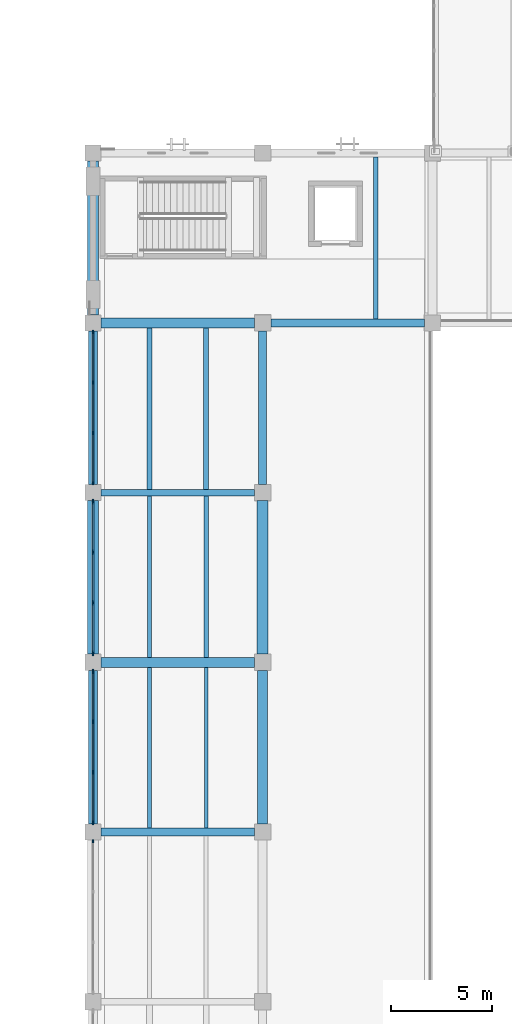
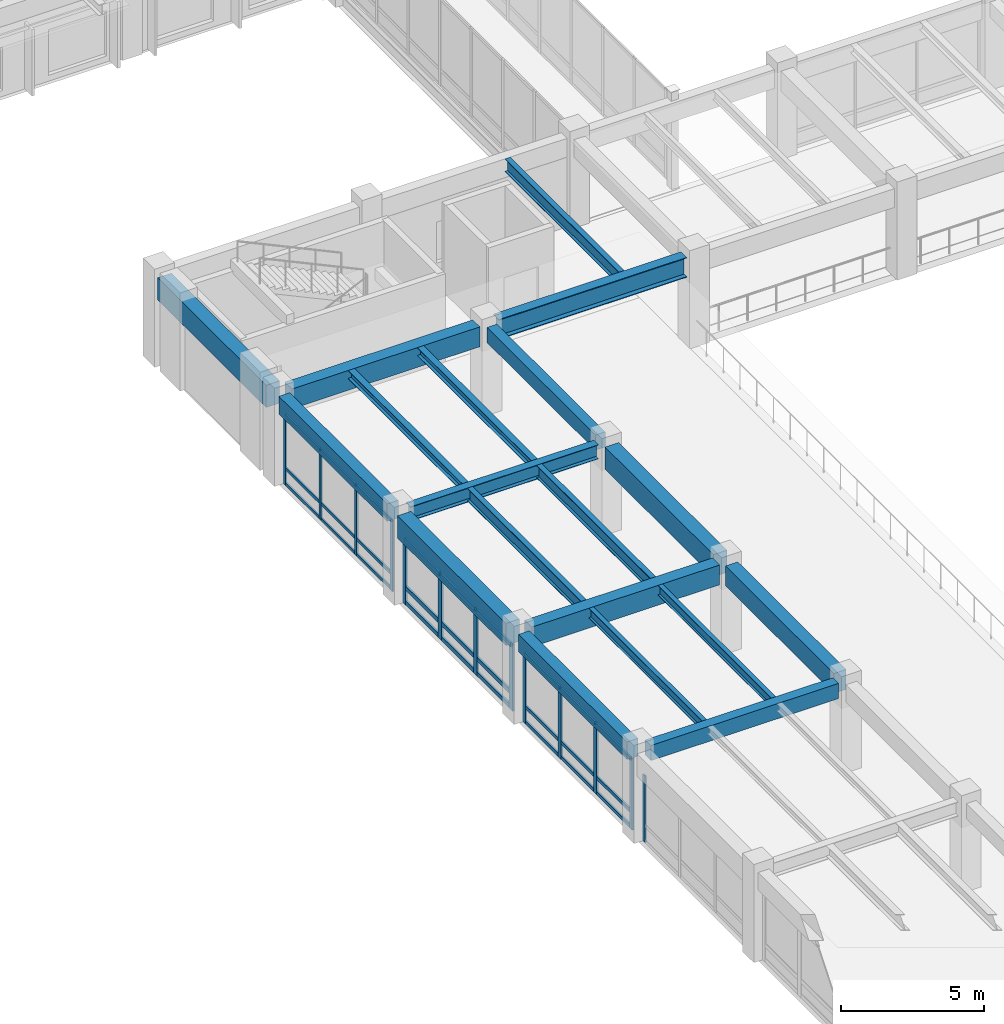
# One storey, part 11 of 132: 40 members, 19 beams, 4 elements without a shape of their own.
"""IFC4 building model written with IfcOpenShell, lengths in metres."""

from ifc_helpers import new_model, si_unit, direction, frame, origin, origin_2d, place, context, subcontext, project, spatial, rectangle, i_section, extrude, material, material_profile, profile_set, type_object, element, aggregate, save


model = new_model("IFC4")

# Units and contexts
model_context = context("Model", 3, precision=1e-05, world=origin(), true_north=direction((0.0, 1.0)))
body_context = subcontext(model_context, "Body", "Model", "MODEL_VIEW")
ifc_project = project(units=[si_unit("LENGTHUNIT", "METRE"), si_unit("AREAUNIT", "SQUARE_METRE"), si_unit("VOLUMEUNIT", "CUBIC_METRE"), si_unit("PLANEANGLEUNIT", "RADIAN"), si_unit("MASSUNIT", "GRAM", prefix="KILO")], contexts=[model_context])

# Site, building, storey
site_placement = place(None, origin())
site = spatial("IfcSite", under=ifc_project, at=site_placement, CompositionType="ELEMENT")
building_placement = place(site_placement, origin())
building = spatial("IfcBuilding", under=site, at=building_placement, Name="Cumbredor Promenade Congress Hotel", CompositionType="ELEMENT")
storey_placement = place(building_placement, frame((0.0, 0.0, 7.56005859375)))
storey = spatial("IfcBuildingStorey", under=building, at=storey_placement, Name="L02", CompositionType="ELEMENT", Elevation=7.56005859375)

# Beams
ifc_material_1 = material(Name="Concrete C40/50", Category="concrete")
ifc_material_profile_1 = material_profile(ifc_material_1, rectangle(XDim=0.39990234375, YDim=0.64990234375, at=origin_2d()), Name="RC BEAM 400x650")
ifc_profile_set_1 = profile_set([ifc_material_profile_1], Name="Concrete C40/50")
beam_type_1 = type_object("IfcBeamType", Name="BM-RC-400x650", PredefinedType="BEAM", material=ifc_profile_set_1)
for number, where, z_axis, x_axis, name in (
    (1, (8.800048828125, 33.60009765625, 3.474853515625), (1.0, 0.0, 0.0), (0.0, 1.0, 0.0), "L03 X-Grid Beam 016"),
    (2, (16.800048828125, 50.800048828125, 3.474853515625), (0.0, 1.0, 0.0), (-1.0, 0.0, 0.0), "L03 Y-Grid Beam 040"),
):
    element("IfcBeam", number, at=place(storey_placement, frame(where, z_axis=z_axis, x_axis=x_axis)), inside=storey, type_object=beam_type_1, Name=name, PredefinedType="BEAM", context=body_context, shape_type="SweptSolid", body=[
        extrude(rectangle(XDim=0.39990234375, YDim=0.64990234375, at=origin_2d()), origin(), (0.0, 0.0, 1.0), 7.599853515625),
    ])
ifc_material_profile_2 = material_profile(ifc_material_1, rectangle(XDim=0.449951171875, YDim=0.75, at=origin_2d()), Name="RC BEAM 450x750")
ifc_profile_set_2 = profile_set([ifc_material_profile_2], Name="Concrete C40/50")
beam_type_2 = type_object("IfcBeamType", Name="BM-RC-450x750", PredefinedType="BEAM", material=ifc_profile_set_2)
beam_1_placement = place(storey_placement, frame((8.39990234375, 34.0, 3.425048828125), z_axis=(0.0, 1.0, 0.0), x_axis=(-1.0, 0.0, 0.0)))
element("IfcBeam", 3, at=beam_1_placement, inside=storey, type_object=beam_type_2, Name="L03 Y-Grid Beam 017", PredefinedType="BEAM", context=body_context, shape_type="SweptSolid", body=[
    extrude(rectangle(XDim=0.449951171875, YDim=0.75, at=origin_2d()), origin(), (0.0, 0.0, 1.0), 7.60009765625),
])
beam_2_placement = place(storey_placement, frame((8.39990234375, 50.800048828125, 3.425048828125), z_axis=(0.0, 1.0, 0.0), x_axis=(-1.0, 0.0, 0.0)))
element("IfcBeam", 4, at=beam_2_placement, inside=storey, type_object=beam_type_2, Name="L03 Y-Grid Beam 021", PredefinedType="BEAM", context=body_context, shape_type="SweptSolid", body=[
    extrude(rectangle(XDim=0.449951171875, YDim=0.75, at=origin_2d()), origin(), (0.0, 0.0, 1.0), 7.599853515625),
])
ifc_material_profile_3 = material_profile(ifc_material_1, rectangle(XDim=0.5, YDim=0.85009765625, at=origin_2d()), Name="RC BEAM 500x850")
ifc_profile_set_3 = profile_set([ifc_material_profile_3], Name="Concrete C40/50")
beam_type_3 = type_object("IfcBeamType", Name="BM-RC-500x850", PredefinedType="BEAM", material=ifc_profile_set_3)
for number, where, z_axis, x_axis, name in (
    (5, (8.800048828125, 42.0, 3.375), (1.0, 0.0, 0.0), (0.0, 1.0, 0.0), "L03 X-Grid Beam 018"),
    (6, (8.800048828125, 58.800048828125, 3.375), (1.0, 0.0, 0.0), (0.0, 1.0, 0.0), "L03 X-Grid Beam 022"),
):
    element("IfcBeam", number, at=place(storey_placement, frame(where, z_axis=z_axis, x_axis=x_axis)), inside=storey, type_object=beam_type_3, Name=name, PredefinedType="BEAM", context=body_context, shape_type="SweptSolid", body=[
        extrude(rectangle(XDim=0.5, YDim=0.85009765625, at=origin_2d()), origin(), (0.0, 0.0, 1.0), 7.599853515625),
    ])
beam_3_placement = place(storey_placement, frame((16.800048828125, 34.0, 3.375), z_axis=(0.0, 1.0, 0.0), x_axis=(-1.0, 0.0, 0.0)))
element("IfcBeam", 7, at=beam_3_placement, inside=storey, type_object=beam_type_3, Name="L03 Y-Grid Beam 038", PredefinedType="BEAM", context=body_context, shape_type="SweptSolid", body=[
    extrude(rectangle(XDim=0.5, YDim=0.85009765625, at=origin_2d()), origin(), (0.0, 0.0, 1.0), 7.60009765625),
])
ifc_material_profile_4 = material_profile(ifc_material_1, rectangle(XDim=0.550048828125, YDim=0.949951171875, at=origin_2d()), Name="RC BEAM 550x950")
ifc_profile_set_4 = profile_set([ifc_material_profile_4], Name="Concrete C40/50")
beam_type_4 = type_object("IfcBeamType", Name="BM-RC-550x950", PredefinedType="BEAM", material=ifc_profile_set_4)
for number, where, z_axis, x_axis, name in (
    (8, (8.39990234375, 42.39990234375, 3.324951171875), (0.0, 1.0, 0.0), (-1.0, 0.0, 0.0), "L03 Y-Grid Beam 019"),
    (9, (8.39990234375, 59.199951171875, 3.324951171875), (0.0, 1.0, 0.0), (-1.0, 0.0, 0.0), "L03 Y-Grid Beam 023"),
    (10, (16.800048828125, 42.39990234375, 3.324951171875), (0.0, 1.0, 0.0), (-1.0, 0.0, 0.0), "L03 Y-Grid Beam 039"),
):
    element("IfcBeam", number, at=place(storey_placement, frame(where, z_axis=z_axis, x_axis=x_axis)), inside=storey, type_object=beam_type_4, Name=name, PredefinedType="BEAM", context=body_context, shape_type="SweptSolid", body=[
        extrude(rectangle(XDim=0.550048828125, YDim=0.949951171875, at=origin_2d()), origin(), (0.0, 0.0, 1.0), 7.60009765625),
    ])
ifc_material_2 = material(Name="Steel ASTM A992 Grade 50", Category="steel")
ifc_material_profile_5 = material_profile(ifc_material_2, i_section(OverallWidth=0.323974609375, OverallDepth=0.611083984375, WebThickness=0.0126953125, FlangeThickness=0.01904296875, at=origin_2d()), Name="W24X104")
ifc_profile_set_5 = profile_set([ifc_material_profile_5], Name="Steel ASTM A992 Grade 50")
beam_type_5 = type_object("IfcBeamType", Name="BM-W24X104", PredefinedType="BEAM", material=ifc_profile_set_5)
beam_4_placement = place(storey_placement, frame((8.800048828125, 50.39990234375, 3.494384765625), z_axis=(1.0, 0.0, 0.0), x_axis=(0.0, 1.0, 0.0)))
element("IfcBeam", 11, at=beam_4_placement, inside=storey, type_object=beam_type_5, Name="L03 X-Grid Beam 020", PredefinedType="BEAM", context=body_context, shape_type="SweptSolid", body=[
    extrude(i_section(OverallWidth=0.323974609375, OverallDepth=0.611083984375, WebThickness=0.0126953125, FlangeThickness=0.01904296875, at=origin_2d()), origin(), (0.0, 0.0, 1.0), 7.599853515625),
])
ifc_material_profile_6 = material_profile(ifc_material_2, i_section(OverallWidth=0.39990234375, OverallDepth=0.85498046875, WebThickness=0.018310546875, FlangeThickness=0.029296875, at=origin_2d()), Name="W33X201")
ifc_profile_set_6 = profile_set([ifc_material_profile_6], Name="Steel ASTM A992 Grade 50")
beam_type_6 = type_object("IfcBeamType", Name="BM-W33X201", PredefinedType="BEAM", material=ifc_profile_set_6)
beam_5_placement = place(storey_placement, frame((17.199951171875, 58.800048828125, 3.37255859375), z_axis=(1.0, 0.0, 0.0), x_axis=(0.0, 1.0, 0.0)))
element("IfcBeam", 12, at=beam_5_placement, inside=storey, type_object=beam_type_6, Name="L03 X-Grid Beam 041", PredefinedType="BEAM", context=body_context, shape_type="SweptSolid", body=[
    extrude(i_section(OverallWidth=0.39990234375, OverallDepth=0.85498046875, WebThickness=0.018310546875, FlangeThickness=0.029296875, at=origin_2d()), origin(), (0.0, 0.0, 1.0), 7.60009765625),
])

# Curtain wall, member
ifc_material_3 = material(Name="Thermally broken anodized aluminium and low-E glass", Category="aluminium")
curtain_wall_type = type_object("IfcCurtainWallType", Name="Unitised Bronze Curtain Wall CW-01", PredefinedType="NOTDEFINED", material=ifc_material_3)
curtain_wall_1_placement = place(storey_placement, origin())
curtain_wall_1 = element("IfcCurtainWall", 13, at=curtain_wall_1_placement, inside=storey, type_object=curtain_wall_type, Name="L02 Plenary Congress Hall West Curtain Wall 3", PredefinedType="NOTDEFINED")
ifc_material_4 = material(Name="Thermally broken anodized aluminium", Category="aluminium")
ifc_material_profile_7 = material_profile(ifc_material_4, rectangle(XDim=0.06494140625, YDim=0.159912109375, at=origin_2d()), Name="ALU MULLION 65x160")
ifc_profile_set_7 = profile_set([ifc_material_profile_7], Name="Thermally broken anodized aluminium")
member_type_1 = type_object("IfcMemberType", Name="Curtain Wall Mullion ML-01", PredefinedType="MULLION", material=ifc_profile_set_7)
member_1_placement = place(storey_placement, frame((8.39990234375, 33.14501953125, -0.008056640625), z_axis=(0.0, 0.0, 1.0), x_axis=(1.0, 0.0, 0.0)))
member_1 = element("IfcMember", 14, at=member_1_placement, type_object=member_type_1, Name="L02 Plenary Congress Hall West Curtain Wall 3 Mullion 4", PredefinedType="MULLION", context=body_context, shape_type="SweptSolid", body=[
    extrude(rectangle(XDim=0.06494140625, YDim=0.159912109375, at=origin_2d()), origin(), (0.0, 0.0, 1.0), 2.85107421875),
])
aggregate(curtain_wall_1, [member_1])

# Curtain wall, members
curtain_wall_2_placement = place(storey_placement, origin())
curtain_wall_2 = element("IfcCurtainWall", 15, at=curtain_wall_2_placement, inside=storey, type_object=curtain_wall_type, Name="L02 Plenary Congress Hall West Curtain Wall 6", PredefinedType="NOTDEFINED")
member_2_placement = place(storey_placement, frame((8.39990234375, 50.85498046875, -0.008056640625), z_axis=(0.0, 0.0, 1.0), x_axis=(1.0, 0.0, 0.0)))
member_2 = element("IfcMember", 16, at=member_2_placement, type_object=member_type_1, Name="L02 Plenary Congress Hall West Curtain Wall 6 Mullion 1", PredefinedType="MULLION", context=body_context, shape_type="SweptSolid", body=[
    extrude(rectangle(XDim=0.06494140625, YDim=0.159912109375, at=origin_2d()), origin(), (0.0, 0.0, 1.0), 3.051025390625),
])
member_3_placement = place(storey_placement, frame((8.39990234375, 53.351806640625, -0.008056640625), z_axis=(0.0, 0.0, 1.0), x_axis=(1.0, 0.0, 0.0)))
member_3 = element("IfcMember", 17, at=member_3_placement, type_object=member_type_1, Name="L02 Plenary Congress Hall West Curtain Wall 6 Mullion 2", PredefinedType="MULLION", context=body_context, shape_type="SweptSolid", body=[
    extrude(rectangle(XDim=0.06494140625, YDim=0.159912109375, at=origin_2d()), origin(), (0.0, 0.0, 1.0), 3.051025390625),
])
member_4_placement = place(storey_placement, frame((8.39990234375, 55.848388671875, -0.008056640625), z_axis=(0.0, 0.0, 1.0), x_axis=(1.0, 0.0, 0.0)))
member_4 = element("IfcMember", 18, at=member_4_placement, type_object=member_type_1, Name="L02 Plenary Congress Hall West Curtain Wall 6 Mullion 3", PredefinedType="MULLION", context=body_context, shape_type="SweptSolid", body=[
    extrude(rectangle(XDim=0.06494140625, YDim=0.159912109375, at=origin_2d()), origin(), (0.0, 0.0, 1.0), 3.051025390625),
])
member_5_placement = place(storey_placement, frame((8.39990234375, 58.344970703125, -0.008056640625), z_axis=(0.0, 0.0, 1.0), x_axis=(1.0, 0.0, 0.0)))
member_5 = element("IfcMember", 19, at=member_5_placement, type_object=member_type_1, Name="L02 Plenary Congress Hall West Curtain Wall 6 Mullion 4", PredefinedType="MULLION", context=body_context, shape_type="SweptSolid", body=[
    extrude(rectangle(XDim=0.06494140625, YDim=0.159912109375, at=origin_2d()), origin(), (0.0, 0.0, 1.0), 3.051025390625),
])

curtain_wall_3_placement = place(storey_placement, origin())
curtain_wall_3 = element("IfcCurtainWall", 20, at=curtain_wall_3_placement, inside=storey, type_object=curtain_wall_type, Name="L02 Plenary Congress Hall West Curtain Wall 4", PredefinedType="NOTDEFINED")
ifc_material_profile_8 = material_profile(ifc_material_4, rectangle(XDim=0.074951171875, YDim=0.199951171875, at=origin_2d()), Name="ALU MULLION 75x200")
ifc_profile_set_8 = profile_set([ifc_material_profile_8], Name="Thermally broken anodized aluminium")
member_type_2 = type_object("IfcMemberType", Name="Curtain Wall Mullion ML-02", PredefinedType="MULLION", material=ifc_profile_set_8)
member_6_placement = place(storey_placement, frame((8.39990234375, 34.054931640625, -0.008056640625), z_axis=(0.0, 0.0, 1.0), x_axis=(1.0, 0.0, 0.0)))
member_6 = element("IfcMember", 21, at=member_6_placement, type_object=member_type_2, Name="L02 Plenary Congress Hall West Curtain Wall 4 Mullion 1", PredefinedType="MULLION", context=body_context, shape_type="SweptSolid", body=[
    extrude(rectangle(XDim=0.074951171875, YDim=0.199951171875, at=origin_2d()), origin(), (0.0, 0.0, 1.0), 3.051025390625),
])
member_7_placement = place(storey_placement, frame((8.39990234375, 36.5517578125, -0.008056640625), z_axis=(0.0, 0.0, 1.0), x_axis=(1.0, 0.0, 0.0)))
member_7 = element("IfcMember", 22, at=member_7_placement, type_object=member_type_2, Name="L02 Plenary Congress Hall West Curtain Wall 4 Mullion 2", PredefinedType="MULLION", context=body_context, shape_type="SweptSolid", body=[
    extrude(rectangle(XDim=0.074951171875, YDim=0.199951171875, at=origin_2d()), origin(), (0.0, 0.0, 1.0), 3.051025390625),
])
member_8_placement = place(storey_placement, frame((8.39990234375, 39.04833984375, -0.008056640625), z_axis=(0.0, 0.0, 1.0), x_axis=(1.0, 0.0, 0.0)))
member_8 = element("IfcMember", 23, at=member_8_placement, type_object=member_type_2, Name="L02 Plenary Congress Hall West Curtain Wall 4 Mullion 3", PredefinedType="MULLION", context=body_context, shape_type="SweptSolid", body=[
    extrude(rectangle(XDim=0.074951171875, YDim=0.199951171875, at=origin_2d()), origin(), (0.0, 0.0, 1.0), 3.051025390625),
])
member_9_placement = place(storey_placement, frame((8.39990234375, 41.544921875, -0.008056640625), z_axis=(0.0, 0.0, 1.0), x_axis=(1.0, 0.0, 0.0)))
member_9 = element("IfcMember", 24, at=member_9_placement, type_object=member_type_2, Name="L02 Plenary Congress Hall West Curtain Wall 4 Mullion 4", PredefinedType="MULLION", context=body_context, shape_type="SweptSolid", body=[
    extrude(rectangle(XDim=0.074951171875, YDim=0.199951171875, at=origin_2d()), origin(), (0.0, 0.0, 1.0), 3.051025390625),
])

curtain_wall_4_placement = place(storey_placement, origin())
curtain_wall_4 = element("IfcCurtainWall", 25, at=curtain_wall_4_placement, inside=storey, type_object=curtain_wall_type, Name="L02 Plenary Congress Hall West Curtain Wall 5", PredefinedType="NOTDEFINED")
ifc_material_profile_9 = material_profile(ifc_material_4, rectangle(XDim=0.080078125, YDim=0.239990234375, at=origin_2d()), Name="ALU MULLION 80x240")
ifc_profile_set_9 = profile_set([ifc_material_profile_9], Name="Thermally broken anodized aluminium")
member_type_3 = type_object("IfcMemberType", Name="Curtain Wall Mullion ML-03", PredefinedType="MULLION", material=ifc_profile_set_9)
member_10_placement = place(storey_placement, frame((8.39990234375, 42.455078125, -0.008056640625), z_axis=(0.0, 0.0, 1.0), x_axis=(1.0, 0.0, 0.0)))
member_10 = element("IfcMember", 26, at=member_10_placement, type_object=member_type_3, Name="L02 Plenary Congress Hall West Curtain Wall 5 Mullion 1", PredefinedType="MULLION", context=body_context, shape_type="SweptSolid", body=[
    extrude(rectangle(XDim=0.080078125, YDim=0.239990234375, at=origin_2d()), origin(), (0.0, 0.0, 1.0), 2.85107421875),
])
member_11_placement = place(storey_placement, frame((8.39990234375, 44.95166015625, -0.008056640625), z_axis=(0.0, 0.0, 1.0), x_axis=(1.0, 0.0, 0.0)))
member_11 = element("IfcMember", 27, at=member_11_placement, type_object=member_type_3, Name="L02 Plenary Congress Hall West Curtain Wall 5 Mullion 2", PredefinedType="MULLION", context=body_context, shape_type="SweptSolid", body=[
    extrude(rectangle(XDim=0.080078125, YDim=0.239990234375, at=origin_2d()), origin(), (0.0, 0.0, 1.0), 2.85107421875),
])
member_12_placement = place(storey_placement, frame((8.39990234375, 47.4482421875, -0.008056640625), z_axis=(0.0, 0.0, 1.0), x_axis=(1.0, 0.0, 0.0)))
member_12 = element("IfcMember", 28, at=member_12_placement, type_object=member_type_3, Name="L02 Plenary Congress Hall West Curtain Wall 5 Mullion 3", PredefinedType="MULLION", context=body_context, shape_type="SweptSolid", body=[
    extrude(rectangle(XDim=0.080078125, YDim=0.239990234375, at=origin_2d()), origin(), (0.0, 0.0, 1.0), 2.85107421875),
])
member_13_placement = place(storey_placement, frame((8.39990234375, 49.945068359375, -0.008056640625), z_axis=(0.0, 0.0, 1.0), x_axis=(1.0, 0.0, 0.0)))
member_13 = element("IfcMember", 29, at=member_13_placement, type_object=member_type_3, Name="L02 Plenary Congress Hall West Curtain Wall 5 Mullion 4", PredefinedType="MULLION", context=body_context, shape_type="SweptSolid", body=[
    extrude(rectangle(XDim=0.080078125, YDim=0.239990234375, at=origin_2d()), origin(), (0.0, 0.0, 1.0), 2.85107421875),
])

# Member
ifc_material_profile_10 = material_profile(ifc_material_4, rectangle(XDim=0.06494140625, YDim=0.1298828125, at=origin_2d()), Name="ALU TRANSOM 65x130")
ifc_profile_set_10 = profile_set([ifc_material_profile_10], Name="Thermally broken anodized aluminium")
member_type_4 = type_object("IfcMemberType", Name="Curtain Wall Transom TR-01", PredefinedType="USERDEFINED", material=ifc_profile_set_10)
member_14_placement = place(storey_placement, frame((8.39990234375, 50.887451171875, 0.06005859375), z_axis=(0.0, 1.0, 0.0), x_axis=(-1.0, 0.0, 0.0)))
member_14 = element("IfcMember", 30, at=member_14_placement, type_object=member_type_4, Name="L02 Plenary Congress Hall West Curtain Wall 6 Transom 1.1", ObjectType="TRANSOM", PredefinedType="USERDEFINED", context=body_context, shape_type="SweptSolid", body=[
    extrude(rectangle(XDim=0.06494140625, YDim=0.1298828125, at=origin_2d()), origin(), (0.0, 0.0, 1.0), 2.431640625),
])

member_15_placement = place(storey_placement, frame((8.39990234375, 50.887451171875, 0.719970703125), z_axis=(0.0, 1.0, 0.0), x_axis=(-1.0, 0.0, 0.0)))
member_15 = element("IfcMember", 31, at=member_15_placement, type_object=member_type_4, Name="L02 Plenary Congress Hall West Curtain Wall 6 Transom 1.2", ObjectType="TRANSOM", PredefinedType="USERDEFINED", context=body_context, shape_type="SweptSolid", body=[
    extrude(rectangle(XDim=0.06494140625, YDim=0.1298828125, at=origin_2d()), origin(), (0.0, 0.0, 1.0), 2.431640625),
])

member_16_placement = place(storey_placement, frame((8.39990234375, 50.887451171875, 2.969970703125), z_axis=(0.0, 1.0, 0.0), x_axis=(-1.0, 0.0, 0.0)))
member_16 = element("IfcMember", 32, at=member_16_placement, type_object=member_type_4, Name="L02 Plenary Congress Hall West Curtain Wall 6 Transom 1.3", ObjectType="TRANSOM", PredefinedType="USERDEFINED", context=body_context, shape_type="SweptSolid", body=[
    extrude(rectangle(XDim=0.06494140625, YDim=0.1298828125, at=origin_2d()), origin(), (0.0, 0.0, 1.0), 2.431640625),
])

member_17_placement = place(storey_placement, frame((8.39990234375, 53.38427734375, 0.06005859375), z_axis=(0.0, 1.0, 0.0), x_axis=(-1.0, 0.0, 0.0)))
member_17 = element("IfcMember", 33, at=member_17_placement, type_object=member_type_4, Name="L02 Plenary Congress Hall West Curtain Wall 6 Transom 2.1", ObjectType="TRANSOM", PredefinedType="USERDEFINED", context=body_context, shape_type="SweptSolid", body=[
    extrude(rectangle(XDim=0.06494140625, YDim=0.1298828125, at=origin_2d()), origin(), (0.0, 0.0, 1.0), 2.431640625),
])

member_18_placement = place(storey_placement, frame((8.39990234375, 53.38427734375, 0.719970703125), z_axis=(0.0, 1.0, 0.0), x_axis=(-1.0, 0.0, 0.0)))
member_18 = element("IfcMember", 34, at=member_18_placement, type_object=member_type_4, Name="L02 Plenary Congress Hall West Curtain Wall 6 Transom 2.2", ObjectType="TRANSOM", PredefinedType="USERDEFINED", context=body_context, shape_type="SweptSolid", body=[
    extrude(rectangle(XDim=0.06494140625, YDim=0.1298828125, at=origin_2d()), origin(), (0.0, 0.0, 1.0), 2.431640625),
])

member_19_placement = place(storey_placement, frame((8.39990234375, 53.38427734375, 2.969970703125), z_axis=(0.0, 1.0, 0.0), x_axis=(-1.0, 0.0, 0.0)))
member_19 = element("IfcMember", 35, at=member_19_placement, type_object=member_type_4, Name="L02 Plenary Congress Hall West Curtain Wall 6 Transom 2.3", ObjectType="TRANSOM", PredefinedType="USERDEFINED", context=body_context, shape_type="SweptSolid", body=[
    extrude(rectangle(XDim=0.06494140625, YDim=0.1298828125, at=origin_2d()), origin(), (0.0, 0.0, 1.0), 2.431640625),
])

member_20_placement = place(storey_placement, frame((8.39990234375, 55.880859375, 0.06005859375), z_axis=(0.0, 1.0, 0.0), x_axis=(-1.0, 0.0, 0.0)))
member_20 = element("IfcMember", 36, at=member_20_placement, type_object=member_type_4, Name="L02 Plenary Congress Hall West Curtain Wall 6 Transom 3.1", ObjectType="TRANSOM", PredefinedType="USERDEFINED", context=body_context, shape_type="SweptSolid", body=[
    extrude(rectangle(XDim=0.06494140625, YDim=0.1298828125, at=origin_2d()), origin(), (0.0, 0.0, 1.0), 2.431640625),
])

member_21_placement = place(storey_placement, frame((8.39990234375, 55.880859375, 0.719970703125), z_axis=(0.0, 1.0, 0.0), x_axis=(-1.0, 0.0, 0.0)))
member_21 = element("IfcMember", 37, at=member_21_placement, type_object=member_type_4, Name="L02 Plenary Congress Hall West Curtain Wall 6 Transom 3.2", ObjectType="TRANSOM", PredefinedType="USERDEFINED", context=body_context, shape_type="SweptSolid", body=[
    extrude(rectangle(XDim=0.06494140625, YDim=0.1298828125, at=origin_2d()), origin(), (0.0, 0.0, 1.0), 2.431640625),
])

member_22_placement = place(storey_placement, frame((8.39990234375, 55.880859375, 2.969970703125), z_axis=(0.0, 1.0, 0.0), x_axis=(-1.0, 0.0, 0.0)))
member_22 = element("IfcMember", 38, at=member_22_placement, type_object=member_type_4, Name="L02 Plenary Congress Hall West Curtain Wall 6 Transom 3.3", ObjectType="TRANSOM", PredefinedType="USERDEFINED", context=body_context, shape_type="SweptSolid", body=[
    extrude(rectangle(XDim=0.06494140625, YDim=0.1298828125, at=origin_2d()), origin(), (0.0, 0.0, 1.0), 2.431640625),
])

aggregate(curtain_wall_2, [member_2, member_3, member_4, member_5, member_14, member_15, member_16, member_17, member_18, member_19, member_20, member_21, member_22])

ifc_material_profile_11 = material_profile(ifc_material_4, rectangle(XDim=0.074951171875, YDim=0.14990234375, at=origin_2d()), Name="ALU TRANSOM 75x150")
ifc_profile_set_11 = profile_set([ifc_material_profile_11], Name="Thermally broken anodized aluminium")
member_type_5 = type_object("IfcMemberType", Name="Curtain Wall Transom TR-02", PredefinedType="USERDEFINED", material=ifc_profile_set_11)
member_23_placement = place(storey_placement, frame((8.39990234375, 34.092529296875, 0.06982421875), z_axis=(0.0, 1.0, 0.0), x_axis=(-1.0, 0.0, 0.0)))
member_23 = element("IfcMember", 39, at=member_23_placement, type_object=member_type_5, Name="L02 Plenary Congress Hall West Curtain Wall 4 Transom 1.1", ObjectType="TRANSOM", PredefinedType="USERDEFINED", context=body_context, shape_type="SweptSolid", body=[
    extrude(rectangle(XDim=0.074951171875, YDim=0.14990234375, at=origin_2d()), origin(), (0.0, 0.0, 1.0), 2.421630859375),
])

member_24_placement = place(storey_placement, frame((8.39990234375, 34.092529296875, 0.719970703125), z_axis=(0.0, 1.0, 0.0), x_axis=(-1.0, 0.0, 0.0)))
member_24 = element("IfcMember", 40, at=member_24_placement, type_object=member_type_5, Name="L02 Plenary Congress Hall West Curtain Wall 4 Transom 1.2", ObjectType="TRANSOM", PredefinedType="USERDEFINED", context=body_context, shape_type="SweptSolid", body=[
    extrude(rectangle(XDim=0.074951171875, YDim=0.14990234375, at=origin_2d()), origin(), (0.0, 0.0, 1.0), 2.421630859375),
])

member_25_placement = place(storey_placement, frame((8.39990234375, 34.092529296875, 2.9599609375), z_axis=(0.0, 1.0, 0.0), x_axis=(-1.0, 0.0, 0.0)))
member_25 = element("IfcMember", 41, at=member_25_placement, type_object=member_type_5, Name="L02 Plenary Congress Hall West Curtain Wall 4 Transom 1.3", ObjectType="TRANSOM", PredefinedType="USERDEFINED", context=body_context, shape_type="SweptSolid", body=[
    extrude(rectangle(XDim=0.074951171875, YDim=0.14990234375, at=origin_2d()), origin(), (0.0, 0.0, 1.0), 2.421630859375),
])

member_26_placement = place(storey_placement, frame((8.39990234375, 36.589111328125, 0.06982421875), z_axis=(0.0, 1.0, 0.0), x_axis=(-1.0, 0.0, 0.0)))
member_26 = element("IfcMember", 42, at=member_26_placement, type_object=member_type_5, Name="L02 Plenary Congress Hall West Curtain Wall 4 Transom 2.1", ObjectType="TRANSOM", PredefinedType="USERDEFINED", context=body_context, shape_type="SweptSolid", body=[
    extrude(rectangle(XDim=0.074951171875, YDim=0.14990234375, at=origin_2d()), origin(), (0.0, 0.0, 1.0), 2.421630859375),
])

member_27_placement = place(storey_placement, frame((8.39990234375, 36.589111328125, 0.719970703125), z_axis=(0.0, 1.0, 0.0), x_axis=(-1.0, 0.0, 0.0)))
member_27 = element("IfcMember", 43, at=member_27_placement, type_object=member_type_5, Name="L02 Plenary Congress Hall West Curtain Wall 4 Transom 2.2", ObjectType="TRANSOM", PredefinedType="USERDEFINED", context=body_context, shape_type="SweptSolid", body=[
    extrude(rectangle(XDim=0.074951171875, YDim=0.14990234375, at=origin_2d()), origin(), (0.0, 0.0, 1.0), 2.421630859375),
])

member_28_placement = place(storey_placement, frame((8.39990234375, 36.589111328125, 2.9599609375), z_axis=(0.0, 1.0, 0.0), x_axis=(-1.0, 0.0, 0.0)))
member_28 = element("IfcMember", 44, at=member_28_placement, type_object=member_type_5, Name="L02 Plenary Congress Hall West Curtain Wall 4 Transom 2.3", ObjectType="TRANSOM", PredefinedType="USERDEFINED", context=body_context, shape_type="SweptSolid", body=[
    extrude(rectangle(XDim=0.074951171875, YDim=0.14990234375, at=origin_2d()), origin(), (0.0, 0.0, 1.0), 2.421630859375),
])

member_29_placement = place(storey_placement, frame((8.39990234375, 39.085693359375, 0.06982421875), z_axis=(0.0, 1.0, 0.0), x_axis=(-1.0, 0.0, 0.0)))
member_29 = element("IfcMember", 45, at=member_29_placement, type_object=member_type_5, Name="L02 Plenary Congress Hall West Curtain Wall 4 Transom 3.1", ObjectType="TRANSOM", PredefinedType="USERDEFINED", context=body_context, shape_type="SweptSolid", body=[
    extrude(rectangle(XDim=0.074951171875, YDim=0.14990234375, at=origin_2d()), origin(), (0.0, 0.0, 1.0), 2.421875),
])

member_30_placement = place(storey_placement, frame((8.39990234375, 39.085693359375, 0.719970703125), z_axis=(0.0, 1.0, 0.0), x_axis=(-1.0, 0.0, 0.0)))
member_30 = element("IfcMember", 46, at=member_30_placement, type_object=member_type_5, Name="L02 Plenary Congress Hall West Curtain Wall 4 Transom 3.2", ObjectType="TRANSOM", PredefinedType="USERDEFINED", context=body_context, shape_type="SweptSolid", body=[
    extrude(rectangle(XDim=0.074951171875, YDim=0.14990234375, at=origin_2d()), origin(), (0.0, 0.0, 1.0), 2.421875),
])

member_31_placement = place(storey_placement, frame((8.39990234375, 39.085693359375, 2.9599609375), z_axis=(0.0, 1.0, 0.0), x_axis=(-1.0, 0.0, 0.0)))
member_31 = element("IfcMember", 47, at=member_31_placement, type_object=member_type_5, Name="L02 Plenary Congress Hall West Curtain Wall 4 Transom 3.3", ObjectType="TRANSOM", PredefinedType="USERDEFINED", context=body_context, shape_type="SweptSolid", body=[
    extrude(rectangle(XDim=0.074951171875, YDim=0.14990234375, at=origin_2d()), origin(), (0.0, 0.0, 1.0), 2.421875),
])

aggregate(curtain_wall_3, [member_6, member_7, member_8, member_9, member_23, member_24, member_25, member_26, member_27, member_28, member_29, member_30, member_31])

ifc_material_profile_12 = material_profile(ifc_material_4, rectangle(XDim=0.080078125, YDim=0.179931640625, at=origin_2d()), Name="ALU TRANSOM 80x180")
ifc_profile_set_12 = profile_set([ifc_material_profile_12], Name="Thermally broken anodized aluminium")
member_type_6 = type_object("IfcMemberType", Name="Curtain Wall Transom TR-03", PredefinedType="USERDEFINED", material=ifc_profile_set_12)
member_32_placement = place(storey_placement, frame((8.39990234375, 42.4951171875, 0.08984375), z_axis=(0.0, 1.0, 0.0), x_axis=(-1.0, 0.0, 0.0)))
member_32 = element("IfcMember", 48, at=member_32_placement, type_object=member_type_6, Name="L02 Plenary Congress Hall West Curtain Wall 5 Transom 1.1", ObjectType="TRANSOM", PredefinedType="USERDEFINED", context=body_context, shape_type="SweptSolid", body=[
    extrude(rectangle(XDim=0.080078125, YDim=0.179931640625, at=origin_2d()), origin(), (0.0, 0.0, 1.0), 2.41650390625),
])

member_33_placement = place(storey_placement, frame((8.39990234375, 42.4951171875, 0.719970703125), z_axis=(0.0, 1.0, 0.0), x_axis=(-1.0, 0.0, 0.0)))
member_33 = element("IfcMember", 49, at=member_33_placement, type_object=member_type_6, Name="L02 Plenary Congress Hall West Curtain Wall 5 Transom 1.2", ObjectType="TRANSOM", PredefinedType="USERDEFINED", context=body_context, shape_type="SweptSolid", body=[
    extrude(rectangle(XDim=0.080078125, YDim=0.179931640625, at=origin_2d()), origin(), (0.0, 0.0, 1.0), 2.41650390625),
])

member_34_placement = place(storey_placement, frame((8.39990234375, 42.4951171875, 2.739990234375), z_axis=(0.0, 1.0, 0.0), x_axis=(-1.0, 0.0, 0.0)))
member_34 = element("IfcMember", 50, at=member_34_placement, type_object=member_type_6, Name="L02 Plenary Congress Hall West Curtain Wall 5 Transom 1.3", ObjectType="TRANSOM", PredefinedType="USERDEFINED", context=body_context, shape_type="SweptSolid", body=[
    extrude(rectangle(XDim=0.080078125, YDim=0.179931640625, at=origin_2d()), origin(), (0.0, 0.0, 1.0), 2.41650390625),
])

member_35_placement = place(storey_placement, frame((8.39990234375, 44.99169921875, 0.08984375), z_axis=(0.0, 1.0, 0.0), x_axis=(-1.0, 0.0, 0.0)))
member_35 = element("IfcMember", 51, at=member_35_placement, type_object=member_type_6, Name="L02 Plenary Congress Hall West Curtain Wall 5 Transom 2.1", ObjectType="TRANSOM", PredefinedType="USERDEFINED", context=body_context, shape_type="SweptSolid", body=[
    extrude(rectangle(XDim=0.080078125, YDim=0.179931640625, at=origin_2d()), origin(), (0.0, 0.0, 1.0), 2.41650390625),
])

member_36_placement = place(storey_placement, frame((8.39990234375, 44.99169921875, 0.719970703125), z_axis=(0.0, 1.0, 0.0), x_axis=(-1.0, 0.0, 0.0)))
member_36 = element("IfcMember", 52, at=member_36_placement, type_object=member_type_6, Name="L02 Plenary Congress Hall West Curtain Wall 5 Transom 2.2", ObjectType="TRANSOM", PredefinedType="USERDEFINED", context=body_context, shape_type="SweptSolid", body=[
    extrude(rectangle(XDim=0.080078125, YDim=0.179931640625, at=origin_2d()), origin(), (0.0, 0.0, 1.0), 2.41650390625),
])

member_37_placement = place(storey_placement, frame((8.39990234375, 44.99169921875, 2.739990234375), z_axis=(0.0, 1.0, 0.0), x_axis=(-1.0, 0.0, 0.0)))
member_37 = element("IfcMember", 53, at=member_37_placement, type_object=member_type_6, Name="L02 Plenary Congress Hall West Curtain Wall 5 Transom 2.3", ObjectType="TRANSOM", PredefinedType="USERDEFINED", context=body_context, shape_type="SweptSolid", body=[
    extrude(rectangle(XDim=0.080078125, YDim=0.179931640625, at=origin_2d()), origin(), (0.0, 0.0, 1.0), 2.41650390625),
])

member_38_placement = place(storey_placement, frame((8.39990234375, 47.48828125, 0.08984375), z_axis=(0.0, 1.0, 0.0), x_axis=(-1.0, 0.0, 0.0)))
member_38 = element("IfcMember", 54, at=member_38_placement, type_object=member_type_6, Name="L02 Plenary Congress Hall West Curtain Wall 5 Transom 3.1", ObjectType="TRANSOM", PredefinedType="USERDEFINED", context=body_context, shape_type="SweptSolid", body=[
    extrude(rectangle(XDim=0.080078125, YDim=0.179931640625, at=origin_2d()), origin(), (0.0, 0.0, 1.0), 2.416748046875),
])

member_39_placement = place(storey_placement, frame((8.39990234375, 47.48828125, 0.719970703125), z_axis=(0.0, 1.0, 0.0), x_axis=(-1.0, 0.0, 0.0)))
member_39 = element("IfcMember", 55, at=member_39_placement, type_object=member_type_6, Name="L02 Plenary Congress Hall West Curtain Wall 5 Transom 3.2", ObjectType="TRANSOM", PredefinedType="USERDEFINED", context=body_context, shape_type="SweptSolid", body=[
    extrude(rectangle(XDim=0.080078125, YDim=0.179931640625, at=origin_2d()), origin(), (0.0, 0.0, 1.0), 2.416748046875),
])

member_40_placement = place(storey_placement, frame((8.39990234375, 47.48828125, 2.739990234375), z_axis=(0.0, 1.0, 0.0), x_axis=(-1.0, 0.0, 0.0)))
member_40 = element("IfcMember", 56, at=member_40_placement, type_object=member_type_6, Name="L02 Plenary Congress Hall West Curtain Wall 5 Transom 3.3", ObjectType="TRANSOM", PredefinedType="USERDEFINED", context=body_context, shape_type="SweptSolid", body=[
    extrude(rectangle(XDim=0.080078125, YDim=0.179931640625, at=origin_2d()), origin(), (0.0, 0.0, 1.0), 2.416748046875),
])

aggregate(curtain_wall_4, [member_10, member_11, member_12, member_13, member_32, member_33, member_34, member_35, member_36, member_37, member_38, member_39, member_40])

# Beams
ifc_material_profile_13 = material_profile(ifc_material_2, i_section(OverallWidth=0.2548828125, OverallDepth=0.35693359375, WebThickness=0.010498046875, FlangeThickness=0.018310546875, at=origin_2d()), Name="W14X68")
ifc_profile_set_13 = profile_set([ifc_material_profile_13], Name="Steel ASTM A992 Grade 50")
beam_type_7 = type_object("IfcBeamType", Name="JST-W14X68", PredefinedType="JOIST", material=ifc_profile_set_13)
for number, where, z_axis, x_axis, name in (
    (57, (11.199951171875, 50.56201171875, 3.621337890625), (0.0, 1.0, 0.0), (-1.0, 0.0, 0.0), "L03 Secondary Floor Joist 0017"),
    (58, (14.0, 50.56201171875, 3.621337890625), (0.0, 1.0, 0.0), (-1.0, 0.0, 0.0), "L03 Secondary Floor Joist 0018"),
):
    element("IfcBeam", number, at=place(storey_placement, frame(where, z_axis=z_axis, x_axis=x_axis)), inside=storey, type_object=beam_type_7, Name=name, PredefinedType="JOIST", context=body_context, shape_type="SweptSolid", body=[
        extrude(i_section(OverallWidth=0.2548828125, OverallDepth=0.35693359375, WebThickness=0.010498046875, FlangeThickness=0.018310546875, at=origin_2d()), origin(), (0.0, 0.0, 1.0), 7.988037109375),
    ])
ifc_material_profile_14 = material_profile(ifc_material_2, i_section(OverallWidth=0.180908203125, OverallDepth=0.4169921875, WebThickness=0.010986328125, FlangeThickness=0.018310546875, at=origin_2d()), Name="W16X57")
ifc_profile_set_14 = profile_set([ifc_material_profile_14], Name="Steel ASTM A992 Grade 50")
beam_type_8 = type_object("IfcBeamType", Name="JST-W16X57", PredefinedType="JOIST", material=ifc_profile_set_14)
for number, where, z_axis, x_axis, name in (
    (59, (11.199951171875, 33.800048828125, 3.591552734375), (0.0, 1.0, 0.0), (-1.0, 0.0, 0.0), "L03 Secondary Floor Joist 0013"),
    (60, (14.0, 33.800048828125, 3.591552734375), (0.0, 1.0, 0.0), (-1.0, 0.0, 0.0), "L03 Secondary Floor Joist 0014"),
):
    element("IfcBeam", number, at=place(storey_placement, frame(where, z_axis=z_axis, x_axis=x_axis)), inside=storey, type_object=beam_type_8, Name=name, PredefinedType="JOIST", context=body_context, shape_type="SweptSolid", body=[
        extrude(i_section(OverallWidth=0.180908203125, OverallDepth=0.4169921875, WebThickness=0.010986328125, FlangeThickness=0.018310546875, at=origin_2d()), origin(), (0.0, 0.0, 1.0), 7.949951171875),
    ])
ifc_material_profile_15 = material_profile(ifc_material_2, i_section(OverallWidth=0.214111328125, OverallDepth=0.549072265625, WebThickness=0.0146484375, FlangeThickness=0.023681640625, at=origin_2d()), Name="W21X93")
ifc_profile_set_15 = profile_set([ifc_material_profile_15], Name="Steel ASTM A992 Grade 50")
beam_type_9 = type_object("IfcBeamType", Name="JST-W21X93", PredefinedType="JOIST", material=ifc_profile_set_15)
for number, where, z_axis, x_axis, name in (
    (61, (11.199951171875, 42.25, 3.525390625), (0.0, 1.0, 0.0), (-1.0, 0.0, 0.0), "L03 Secondary Floor Joist 0015"),
    (62, (14.0, 42.25, 3.525390625), (0.0, 1.0, 0.0), (-1.0, 0.0, 0.0), "L03 Secondary Floor Joist 0016"),
):
    element("IfcBeam", number, at=place(storey_placement, frame(where, z_axis=z_axis, x_axis=x_axis)), inside=storey, type_object=beam_type_9, Name=name, PredefinedType="JOIST", context=body_context, shape_type="SweptSolid", body=[
        extrude(i_section(OverallWidth=0.214111328125, OverallDepth=0.549072265625, WebThickness=0.0146484375, FlangeThickness=0.023681640625, at=origin_2d()), origin(), (0.0, 0.0, 1.0), 7.988037109375),
    ])
beam_6_placement = place(storey_placement, frame((22.39990234375, 59.0, 3.525390625), z_axis=(0.0, 1.0, 0.0), x_axis=(-1.0, 0.0, 0.0)))
element("IfcBeam", 63, at=beam_6_placement, inside=storey, type_object=beam_type_9, Name="L03 Secondary Floor Joist 0025", PredefinedType="JOIST", context=body_context, shape_type="SweptSolid", body=[
    extrude(i_section(OverallWidth=0.214111328125, OverallDepth=0.549072265625, WebThickness=0.0146484375, FlangeThickness=0.023681640625, at=origin_2d()), origin(), (0.0, 0.0, 1.0), 8.0),
])

save(model, "model.ifc")
